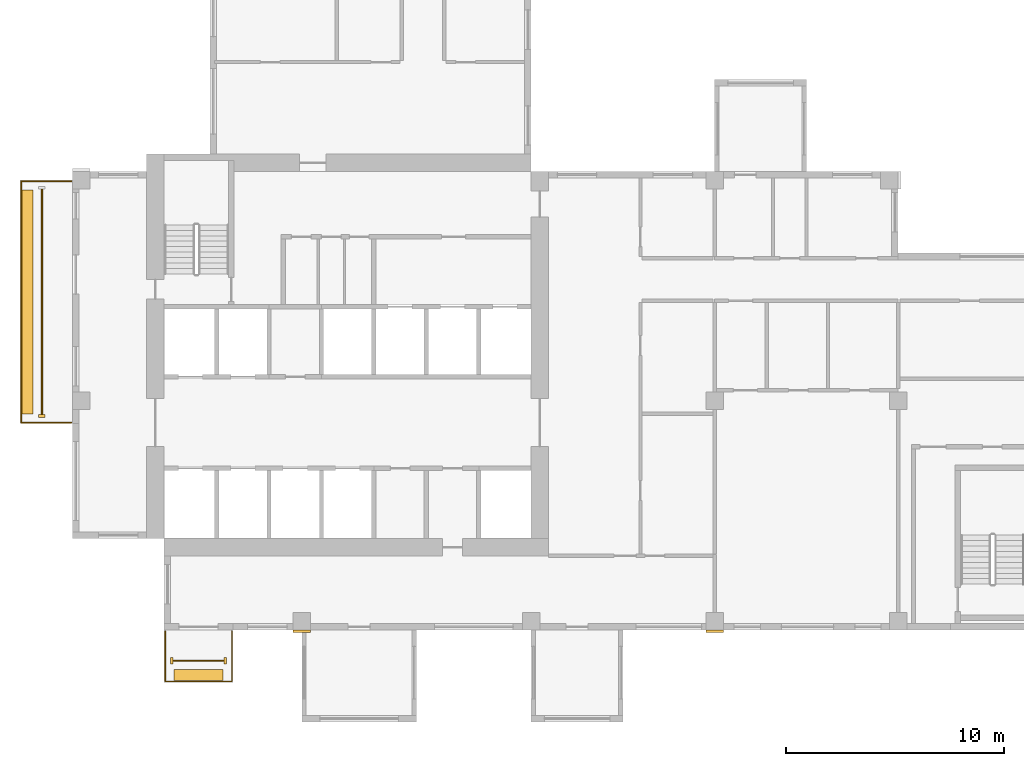
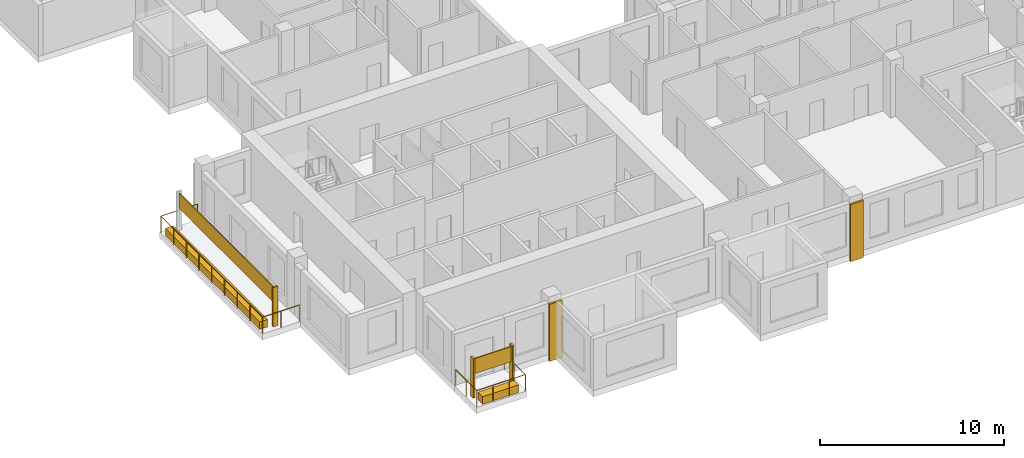
# One storey, part 9 of 12: 9 coverings, 2 railings.
"""IFC4 building model written with IfcOpenShell, lengths in metres."""

from ifc_helpers import new_model, si_unit, direction, frame, origin, origin_2d, place, context, subcontext, project, spatial, rectangle, circle, extrude, source, transform, mapped, material, type_object, element, save


model = new_model("IFC4")

# Units and contexts
model_context = context("Model", 3, precision=1e-05, world=origin(), true_north=direction((0.0, 1.0)))
body_context = subcontext(model_context, "Body", "Model", "MODEL_VIEW")
ifc_project = project(units=[si_unit("LENGTHUNIT", "METRE"), si_unit("AREAUNIT", "SQUARE_METRE"), si_unit("VOLUMEUNIT", "CUBIC_METRE"), si_unit("PLANEANGLEUNIT", "RADIAN"), si_unit("MASSUNIT", "GRAM", prefix="KILO")], contexts=[model_context])

# Site, building, storey
site_placement = place(None, origin())
site = spatial("IfcSite", under=ifc_project, at=site_placement, CompositionType="ELEMENT")
building_placement = place(site_placement, origin())
building = spatial("IfcBuilding", under=site, at=building_placement, Name="Aurelian Terraces", CompositionType="ELEMENT")
storey_placement = place(building_placement, frame((0.0, 0.0, 246.2)))
storey = spatial("IfcBuildingStorey", under=building, at=storey_placement, Name="L56", CompositionType="ELEMENT", Elevation=246.2)

# Railing
ifc_material_1 = material(Name="Anodised aluminium", Category="aluminium")
railing_type = type_object("IfcRailingType", Name="GUARD-1100", PredefinedType="GUARDRAIL", material=ifc_material_1)
railing_1_placement = place(storey_placement, frame((-0.05, 20.55, 0.0)))
element("IfcRailing", 1, at=railing_1_placement, inside=storey, type_object=railing_type, Name="Balcony guard L56 F20.35", PredefinedType="GUARDRAIL", context=body_context, shape_type="SweptSolid", body=[
    extrude(circle(Radius=0.024, at=origin_2d()), frame((0.0, 0.0, 1.076), z_axis=(-1.0, 0.0, 0.0), x_axis=(0.0, -1.0, 0.0)), (0.0, 0.0, 1.0), 2.3),
    extrude(circle(Radius=0.024, at=origin_2d()), frame((-2.3, 0.0, 1.076), z_axis=(0.0, -1.0, 0.0), x_axis=(1.0, 0.0, 0.0)), (0.0, 0.0, 1.0), 11.05),
    extrude(circle(Radius=0.024, at=origin_2d()), frame((-2.3, -11.05, 1.076), z_axis=(1.0, 0.0, 0.0), x_axis=(0.0, 1.0, 0.0)), (0.0, 0.0, 1.0), 2.3),
    extrude(circle(Radius=0.021, at=origin_2d()), origin(), (0.0, 0.0, 1.0), 1.052),
    extrude(circle(Radius=0.021, at=origin_2d()), frame((-1.15, 0.0, 0.0)), (0.0, 0.0, 1.0), 1.052),
    extrude(circle(Radius=0.021, at=origin_2d()), frame((-2.3, 0.0, 0.0)), (0.0, 0.0, 1.0), 1.052),
    extrude(circle(Radius=0.021, at=origin_2d()), frame((-2.3, -1.3812, 0.0)), (0.0, 0.0, 1.0), 1.052),
    extrude(circle(Radius=0.021, at=origin_2d()), frame((-2.3, -2.7625, 0.0)), (0.0, 0.0, 1.0), 1.052),
    extrude(circle(Radius=0.021, at=origin_2d()), frame((-2.3, -4.1438, 0.0)), (0.0, 0.0, 1.0), 1.052),
    extrude(circle(Radius=0.021, at=origin_2d()), frame((-2.3, -5.525, 0.0)), (0.0, 0.0, 1.0), 1.052),
    extrude(circle(Radius=0.021, at=origin_2d()), frame((-2.3, -6.9062, 0.0)), (0.0, 0.0, 1.0), 1.052),
    extrude(circle(Radius=0.021, at=origin_2d()), frame((-2.3, -8.2875, 0.0)), (0.0, 0.0, 1.0), 1.052),
    extrude(circle(Radius=0.021, at=origin_2d()), frame((-2.3, -9.6688, 0.0)), (0.0, 0.0, 1.0), 1.052),
    extrude(circle(Radius=0.021, at=origin_2d()), frame((-2.3, -11.05, 0.0)), (0.0, 0.0, 1.0), 1.052),
    extrude(circle(Radius=0.021, at=origin_2d()), frame((-1.15, -11.05, 0.0)), (0.0, 0.0, 1.0), 1.052),
    extrude(circle(Radius=0.021, at=origin_2d()), frame((0.0, -11.05, 0.0)), (0.0, 0.0, 1.0), 1.052),
])

# Coverings
ifc_material_2 = material(Name="Terracotta planter with planting soil", Category="masonry")
covering_type_1 = type_object("IfcCoveringType", Name="PLANTER-TROUGH", PredefinedType="USERDEFINED", material=ifc_material_2)
covering_1_placement = place(storey_placement, frame((-2.05, 15.025, 0.0), z_axis=(0.0, 0.0, 1.0), x_axis=(1.0, 0.0, 0.0)))
element("IfcCovering", 2, at=covering_1_placement, inside=storey, type_object=covering_type_1, Name="PLANTER L56 L56-F20-35", ObjectType="PLANTER", PredefinedType="USERDEFINED", context=body_context, shape_type="SweptSolid", body=[
    extrude(rectangle(XDim=0.5, YDim=10.25, at=origin_2d()), origin(), (0.0, 0.0, 1.0), 0.5),
])
ifc_material_3 = material(Name="Terracotta rainscreen cladding", Category="masonry")
covering_type_2 = type_object("IfcCoveringType", Name="SCREEN-TC", PredefinedType="CLADDING", material=ifc_material_3)
covering_2_placement = place(storey_placement, frame((-1.4, 15.025, 1.5), z_axis=(0.0, 0.0, 1.0), x_axis=(1.0, 0.0, 0.0)))
element("IfcCovering", 3, at=covering_2_placement, inside=storey, type_object=covering_type_2, Name="SCREEN L56 L56-F20-35", PredefinedType="CLADDING", context=body_context, shape_type="SweptSolid", body=[
    extrude(rectangle(XDim=0.06, YDim=10.33, at=origin_2d()), origin(), (0.0, 0.0, 1.0), 1.0),
])
ifc_material_4 = material(Name="Terracotta rainscreen cladding relief", Category="masonry")
covering_type_3 = type_object("IfcCoveringType", Name="FIN-TC", PredefinedType="CLADDING", material=ifc_material_4)
shared_shape_1 = source(origin(), body_context, "Body", "SweptSolid", [
    extrude(rectangle(XDim=0.3, YDim=0.12, at=origin_2d()), origin(), (0.0, 0.0, 1.0), 2.6),
])
covering_3_placement = place(storey_placement, frame((-1.4, 9.8, 0.0), z_axis=(0.0, 0.0, 1.0), x_axis=(1.0, 0.0, 0.0)))
element("IfcCovering", 4, at=covering_3_placement, inside=storey, type_object=covering_type_3, Name="FIN L56 L56-F20-35.2", PredefinedType="CLADDING", context=body_context, shape_type="MappedRepresentation", body=[
    mapped(shared_shape_1, transform((0.0, 0.0, 0.0), scale=1.0)),
])
shared_shape_2 = source(origin(), body_context, "Body", "SweptSolid", [
    extrude(rectangle(XDim=0.12, YDim=0.3, at=origin_2d()), origin(), (0.0, 0.0, 1.0), 2.6),
])
for number, where, z_axis, x_axis, name in (
    (5, (4.55, -1.4, 0.0), (0.0, 0.0, 1.0), (1.0, 0.0, 0.0), "FIN L56 L56-F01-01.1"),
    (6, (7.0, -1.4, 0.0), (0.0, 0.0, 1.0), (1.0, 0.0, 0.0), "FIN L56 L56-F01-01.2"),
):
    element("IfcCovering", number, at=place(storey_placement, frame(where, z_axis=z_axis, x_axis=x_axis)), inside=storey, type_object=covering_type_3, Name=name, PredefinedType="CLADDING", context=body_context, shape_type="MappedRepresentation", body=[
        mapped(shared_shape_2, transform((0.0, 0.0, 0.0), scale=1.0)),
    ])

# Railing
shared_shape_3 = source(origin(), body_context, "Body", "SweptSolid", [
    extrude(circle(Radius=0.024, at=origin_2d()), frame((0.0, 0.0, 1.076), z_axis=(0.0, -1.0, 0.0), x_axis=(1.0, 0.0, 0.0)), (0.0, 0.0, 1.0), 2.3),
    extrude(circle(Radius=0.024, at=origin_2d()), frame((0.0, -2.3, 1.076), z_axis=(1.0, 0.0, 0.0), x_axis=(0.0, 1.0, 0.0)), (0.0, 0.0, 1.0), 3.05),
    extrude(circle(Radius=0.024, at=origin_2d()), frame((3.05, -2.3, 1.076), z_axis=(0.0, 1.0, 0.0), x_axis=(-1.0, 0.0, 0.0)), (0.0, 0.0, 1.0), 2.3),
    extrude(circle(Radius=0.021, at=origin_2d()), origin(), (0.0, 0.0, 1.0), 1.052),
    extrude(circle(Radius=0.021, at=origin_2d()), frame((0.0, -1.15, 0.0)), (0.0, 0.0, 1.0), 1.052),
    extrude(circle(Radius=0.021, at=origin_2d()), frame((0.0, -2.3, 0.0)), (0.0, 0.0, 1.0), 1.052),
    extrude(circle(Radius=0.021, at=origin_2d()), frame((1.0167, -2.3, 0.0)), (0.0, 0.0, 1.0), 1.052),
    extrude(circle(Radius=0.021, at=origin_2d()), frame((2.0333, -2.3, 0.0)), (0.0, 0.0, 1.0), 1.052),
    extrude(circle(Radius=0.021, at=origin_2d()), frame((3.05, -2.3, 0.0)), (0.0, 0.0, 1.0), 1.052),
    extrude(circle(Radius=0.021, at=origin_2d()), frame((3.05, -1.15, 0.0)), (0.0, 0.0, 1.0), 1.052),
    extrude(circle(Radius=0.021, at=origin_2d()), frame((3.05, 0.0, 0.0)), (0.0, 0.0, 1.0), 1.052),
])
railing_2_placement = place(storey_placement, frame((4.25, -0.05, 0.0)))
element("IfcRailing", 7, at=railing_2_placement, inside=storey, type_object=railing_type, Name="Balcony guard L56 F01.1", PredefinedType="GUARDRAIL", context=body_context, shape_type="MappedRepresentation", body=[
    mapped(shared_shape_3, transform((0.0, 0.0, 0.0), scale=1.0)),
])

# Coverings
shared_shape_4 = source(origin(), body_context, "Body", "SweptSolid", [
    extrude(rectangle(XDim=2.25, YDim=0.5, at=origin_2d()), origin(), (0.0, 0.0, 1.0), 0.5),
])
covering_4_placement = place(storey_placement, frame((5.775, -2.05, 0.0), z_axis=(0.0, 0.0, 1.0), x_axis=(1.0, 0.0, 0.0)))
element("IfcCovering", 8, at=covering_4_placement, inside=storey, type_object=covering_type_1, Name="PLANTER L56 L56-F01-01", ObjectType="PLANTER", PredefinedType="USERDEFINED", context=body_context, shape_type="MappedRepresentation", body=[
    mapped(shared_shape_4, transform((0.0, 0.0, 0.0), scale=1.0)),
])
shared_shape_5 = source(origin(), body_context, "Body", "SweptSolid", [
    extrude(rectangle(XDim=2.33, YDim=0.06, at=origin_2d()), origin(), (0.0, 0.0, 1.0), 1.0),
])
covering_5_placement = place(storey_placement, frame((5.775, -1.4, 1.5), z_axis=(0.0, 0.0, 1.0), x_axis=(1.0, 0.0, 0.0)))
element("IfcCovering", 9, at=covering_5_placement, inside=storey, type_object=covering_type_2, Name="SCREEN L56 L56-F01-01", PredefinedType="CLADDING", context=body_context, shape_type="MappedRepresentation", body=[
    mapped(shared_shape_5, transform((0.0, 0.0, 0.0), scale=1.0)),
])
covering_type_4 = type_object("IfcCoveringType", Name="BAGUETTE-TC", PredefinedType="CLADDING", material=ifc_material_4)
shared_shape_6 = source(origin(), body_context, "Body", "SweptSolid", [
    extrude(rectangle(XDim=0.8, YDim=0.12, at=origin_2d()), origin(), (0.0, 0.0, 1.0), 3.8),
])
for number, where, z_axis, x_axis, name in (
    (10, (10.5, -0.06, -0.4), (0.0, 0.0, 1.0), (1.0, 0.0, 0.0), "BAGUETTE pier L56 1"),
    (11, (29.4, -0.06, -0.4), (0.0, 0.0, 1.0), (1.0, 0.0, 0.0), "BAGUETTE pier L56 2"),
):
    element("IfcCovering", number, at=place(storey_placement, frame(where, z_axis=z_axis, x_axis=x_axis)), inside=storey, type_object=covering_type_4, Name=name, PredefinedType="CLADDING", context=body_context, shape_type="MappedRepresentation", body=[
        mapped(shared_shape_6, transform((0.0, 0.0, 0.0), scale=1.0)),
    ])

save(model, "model.ifc")
